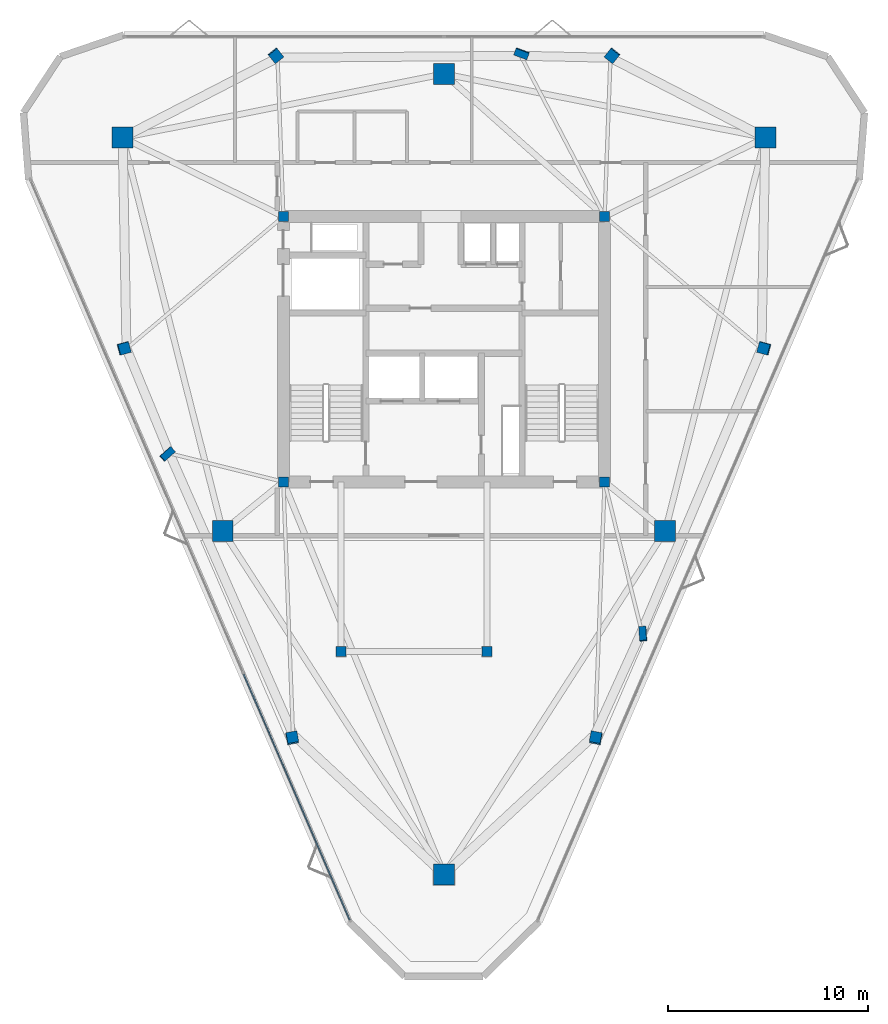
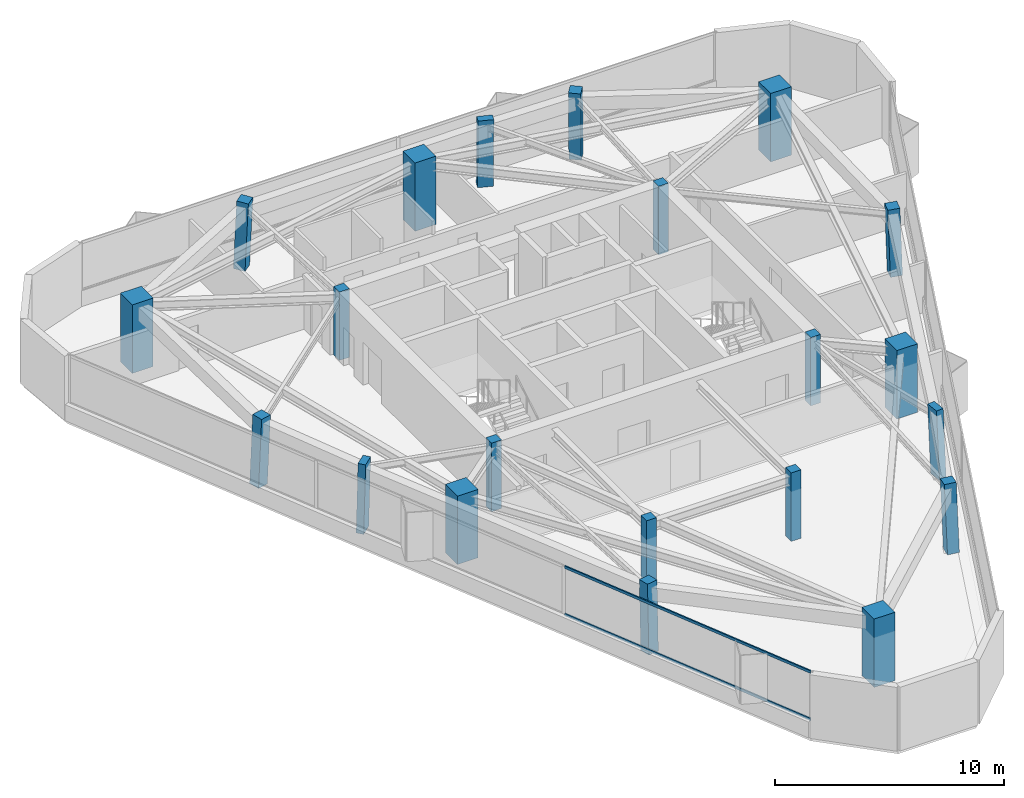
# One storey, part 1 of 9: 21 columns, 2 members, 1 element without a shape of its own.
"""IFC4 building model written with IfcOpenShell, lengths in metres."""

from ifc_helpers import new_model, si_unit, direction, frame, origin, origin_2d, place, context, subcontext, project, spatial, rectangle, extrude, material, layer, layer_set, material_profile, profile_set, type_object, element, aggregate, save


model = new_model("IFC4")

# Units and contexts
model_context = context("Model", 3, precision=1e-05, world=origin(), true_north=direction((0.0, 1.0)))
body_context = subcontext(model_context, "Body", "Model", "MODEL_VIEW")
ifc_project = project(units=[si_unit("LENGTHUNIT", "METRE"), si_unit("AREAUNIT", "SQUARE_METRE"), si_unit("VOLUMEUNIT", "CUBIC_METRE"), si_unit("PLANEANGLEUNIT", "RADIAN"), si_unit("MASSUNIT", "GRAM", prefix="KILO")], contexts=[model_context])

# Site, building, storey
site_placement = place(None, origin())
site = spatial("IfcSite", under=ifc_project, at=site_placement, CompositionType="ELEMENT")
building_placement = place(site_placement, origin())
building = spatial("IfcBuilding", under=site, at=building_placement, Name="Talyreon Biosciences Tower", CompositionType="ELEMENT")
storey_placement = place(building_placement, frame((0.0, 0.0, 291.10009765625)))
storey = spatial("IfcBuildingStorey", under=building, at=storey_placement, Name="L77", CompositionType="ELEMENT", Elevation=291.10009765625)

# Columns
ifc_material_1 = material(Name="Concrete C50/60", Category="concrete")
ifc_material_profile_1 = material_profile(ifc_material_1, rectangle(XDim=0.5, YDim=0.5, at=origin_2d()), Name="RC 500x500")
ifc_profile_set_1 = profile_set([ifc_material_profile_1], Name="Concrete C50/60")
column_type_1 = type_object("IfcColumnType", Name="CrownColumn_500", PredefinedType="COLUMN", material=ifc_profile_set_1)
for number, where, z_axis, x_axis, name in (
    (1, (57.949951171875, 61.35009765625, 0.0), (0.0, 0.0, 1.0), (1.0, 0.0, 0.0), "L77 Core Column CC1"),
    (2, (74.050048828125, 61.35009765625, 0.0), (0.0, 0.0, 1.0), (1.0, 0.0, 0.0), "L77 Core Column CC2"),
    (3, (74.050048828125, 74.64990234375, 0.0), (0.0, 0.0, 1.0), (1.0, 0.0, 0.0), "L77 Core Column CC3"),
    (4, (57.949951171875, 74.64990234375, 0.0), (0.0, 0.0, 1.0), (1.0, 0.0, 0.0), "L77 Core Column CC4"),
    (5, (60.85009765625, 52.840087890625, 0.0), (0.0, 0.0, 1.0), (1.0, 0.0, 0.0), "L77 Core Column CSW"),
    (6, (68.14990234375, 52.840087890625, 0.0), (0.0, 0.0, 1.0), (1.0, 0.0, 0.0), "L77 Core Column CSE"),
):
    element("IfcColumn", number, at=place(storey_placement, frame(where, z_axis=z_axis, x_axis=x_axis)), inside=storey, type_object=column_type_1, Name=name, PredefinedType="COLUMN", context=body_context, shape_type="SweptSolid", body=[
        extrude(rectangle(XDim=0.5, YDim=0.5, at=origin_2d()), origin(), (0.0, 0.0, 1.0), 3.64990234375),
    ])
ifc_material_2 = material(Name="Precast concrete C45/55", Category="concrete")
ifc_material_profile_2 = material_profile(ifc_material_2, rectangle(XDim=0.699951171875, YDim=0.35009765625, at=origin_2d()), Name="RC 700x350")
ifc_profile_set_2 = profile_set([ifc_material_profile_2], Name="Precast concrete C45/55")
column_type_2 = type_object("IfcColumnType", Name="FacadePilaster_700x350", PredefinedType="PILASTER", material=ifc_profile_set_2)
column_1_placement = place(storey_placement, frame((75.97802734375, 53.712890625, 0.0029296875), z_axis=(-0.019611903423, 0.038420588959, 0.999069182584), x_axis=(0.064077119423, -0.997158748375, 0.039604965668)))
element("IfcColumn", 7, at=column_1_placement, inside=storey, type_object=column_type_2, Name="L77 Facade Pilaster PL-SE", PredefinedType="PILASTER", context=body_context, shape_type="SweptSolid", body=[
    extrude(rectangle(XDim=0.699951171875, YDim=0.35009765625, at=origin_2d()), origin(), (0.0, 0.0, 1.0), 3.6474609375),
])
column_2_placement = place(storey_placement, frame((69.8955078125, 82.822509765625, 0.0029296875), z_axis=(-0.012453496874, -0.033544096418, 0.99935964698), x_axis=(-0.937477612418, 0.348045580658, 0.0)))
element("IfcColumn", 8, at=column_2_placement, inside=storey, type_object=column_type_2, Name="L77 Facade Pilaster PL-N", PredefinedType="PILASTER", context=body_context, shape_type="SweptSolid", body=[
    extrude(rectangle(XDim=0.699951171875, YDim=0.35009765625, at=origin_2d()), origin(), (0.0, 0.0, 1.0), 3.646484375),
])
column_3_placement = place(storey_placement, frame((52.126708984375, 62.73828125, 0.0029296875), z_axis=(0.032006454348, 0.010579539303, 0.999431668614), x_axis=(0.746873869942, 0.664245085376, -0.030949781142)))
element("IfcColumn", 9, at=column_3_placement, inside=storey, type_object=column_type_2, Name="L77 Facade Pilaster PL-SW", PredefinedType="PILASTER", context=body_context, shape_type="SweptSolid", body=[
    extrude(rectangle(XDim=0.699951171875, YDim=0.35009765625, at=origin_2d()), origin(), (0.0, 0.0, 1.0), 3.64599609375),
])
ifc_material_profile_3 = material_profile(ifc_material_1, rectangle(XDim=1.050048828125, YDim=1.050048828125, at=origin_2d()), Name="RC 1050x1050")
ifc_profile_set_3 = profile_set([ifc_material_profile_3], Name="Concrete C50/60")
column_type_3 = type_object("IfcColumnType", Name="MegaColumn_1050", PredefinedType="COLUMN", material=ifc_profile_set_3)
for number, where, z_axis, x_axis, name in (
    (10, (66.0, 41.6669921875, 0.0), (0.0, 0.0, 1.0), (1.0, 0.0, 0.0), "L77 Composite Mega-Column MC1"),
    (11, (82.102294921875, 78.5986328125, 0.0), (0.0, 0.0, 1.0), (1.0, 0.0, 0.0), "L77 Composite Mega-Column MC2"),
    (12, (49.897705078125, 78.5986328125, 0.0), (0.0, 0.0, 1.0), (1.0, 0.0, 0.0), "L77 Composite Mega-Column MC3"),
    (13, (77.086181640625, 58.88037109375, 0.0), (0.0, 0.0, 1.0), (1.0, 0.0, 0.0), "L77 Composite Mega-Column MC4"),
    (14, (66.0, 81.788818359375, 0.0), (0.0, 0.0, 1.0), (1.0, 0.0, 0.0), "L77 Composite Mega-Column MC5"),
    (15, (54.913818359375, 58.88037109375, 0.0), (0.0, 0.0, 1.0), (1.0, 0.0, 0.0), "L77 Composite Mega-Column MC6"),
):
    element("IfcColumn", number, at=place(storey_placement, frame(where, z_axis=z_axis, x_axis=x_axis)), inside=storey, type_object=column_type_3, Name=name, PredefinedType="COLUMN", context=body_context, shape_type="SweptSolid", body=[
        extrude(rectangle(XDim=1.050048828125, YDim=1.050048828125, at=origin_2d()), origin(), (0.0, 0.0, 1.0), 3.64990234375),
    ])
ifc_material_profile_4 = material_profile(ifc_material_1, rectangle(XDim=0.550048828125, YDim=0.550048828125, at=origin_2d()), Name="RC 550x550")
ifc_profile_set_4 = profile_set([ifc_material_profile_4], Name="Concrete C50/60")
column_type_4 = type_object("IfcColumnType", Name="PerimeterColumn_550", PredefinedType="COLUMN", material=ifc_profile_set_4)
column_4_placement = place(storey_placement, frame((73.61376953125, 48.488037109375, 0.0029296875), z_axis=(-0.012308213911, 0.054517360531, 0.99843696109), x_axis=(-0.184675707909, -0.981459007721, 0.051313731813)))
element("IfcColumn", 16, at=column_4_placement, inside=storey, type_object=column_type_4, Name="L77 Tapering Perimeter Column PC-SE1", PredefinedType="COLUMN", context=body_context, shape_type="SweptSolid", body=[
    extrude(rectangle(XDim=0.550048828125, YDim=0.550048828125, at=origin_2d()), origin(), (0.0, 0.0, 1.0), 3.649658203125),
])
column_5_placement = place(storey_placement, frame((82.053955078125, 68.04248046875, 0.0029296875), z_axis=(-0.039229508262, -0.005623342481, 0.999214403269), x_axis=(0.964355015274, -0.262098209739, 0.036385889678)))
element("IfcColumn", 17, at=column_5_placement, inside=storey, type_object=column_type_4, Name="L77 Tapering Perimeter Column PC-SE2", PredefinedType="COLUMN", context=body_context, shape_type="SweptSolid", body=[
    extrude(rectangle(XDim=0.550048828125, YDim=0.550048828125, at=origin_2d()), origin(), (0.0, 0.0, 1.0), 3.64697265625),
])
for number, where, z_axis, x_axis, name in (
    (18, (74.43994140625, 82.72265625, 0.0029296875), (-0.026841076243, -0.033534611465, 0.999077067328), (-0.780716755404, 0.624885067698, 0.0), "L77 Tapering Perimeter Column PC-N1"),
    (19, (57.56005859375, 82.72265625, 0.0029296875), (0.026841076243, -0.033534611465, 0.999077067328), (-0.780716755404, -0.624885067698, 0.0), "L77 Tapering Perimeter Column PC-N2"),
):
    element("IfcColumn", number, at=place(storey_placement, frame(where, z_axis=z_axis, x_axis=x_axis)), inside=storey, type_object=column_type_4, Name=name, PredefinedType="COLUMN", context=body_context, shape_type="SweptSolid", body=[
        extrude(rectangle(XDim=0.550048828125, YDim=0.550048828125, at=origin_2d()), origin(), (0.0, 0.0, 1.0), 3.6474609375),
    ])
column_6_placement = place(storey_placement, frame((49.946044921875, 68.04248046875, 0.0029296875), z_axis=(0.039229508262, -0.005623342481, 0.999214403269), x_axis=(0.964355015274, 0.262098209739, -0.036385889678)))
element("IfcColumn", 20, at=column_6_placement, inside=storey, type_object=column_type_4, Name="L77 Tapering Perimeter Column PC-SW1", PredefinedType="COLUMN", context=body_context, shape_type="SweptSolid", body=[
    extrude(rectangle(XDim=0.550048828125, YDim=0.550048828125, at=origin_2d()), origin(), (0.0, 0.0, 1.0), 3.64697265625),
])
column_7_placement = place(storey_placement, frame((58.38623046875, 48.488037109375, 0.0029296875), z_axis=(0.012308213911, 0.054517360531, 0.99843696109), x_axis=(-0.184675707909, 0.981459007721, -0.051313731813)))
element("IfcColumn", 21, at=column_7_placement, inside=storey, type_object=column_type_4, Name="L77 Tapering Perimeter Column PC-SW2", PredefinedType="COLUMN", context=body_context, shape_type="SweptSolid", body=[
    extrude(rectangle(XDim=0.550048828125, YDim=0.550048828125, at=origin_2d()), origin(), (0.0, 0.0, 1.0), 3.649658203125),
])

# Curtain wall, members
ifc_material_3 = material(Name="Thermally broken aluminium and low-E glazing", Category="aluminium")
ifc_layer = layer(ifc_material_3, 0.175048828125)
ifc_layer_set = layer_set([ifc_layer], Name="Thermally broken aluminium and low-E glazing")
curtain_wall_type = type_object("IfcCurtainWallType", Name="CurtainWall_Zone5CompLab", PredefinedType="NOTDEFINED", material=ifc_layer_set)
curtain_wall_placement = place(storey_placement, origin())
curtain_wall = element("IfcCurtainWall", 22, at=curtain_wall_placement, inside=storey, type_object=curtain_wall_type, Name="L77 Unitised Curtain Wall FCW-L77-00", PredefinedType="NOTDEFINED")
ifc_material_4 = material(Name="Anodised thermally broken aluminium", Category="aluminium")
ifc_material_profile_5 = material_profile(ifc_material_4, rectangle(XDim=0.06494140625, YDim=0.139892578125, at=origin_2d()), Name="ALUM TRANSOM 65x140")
ifc_profile_set_5 = profile_set([ifc_material_profile_5], Name="Anodised thermally broken aluminium")
member_type = type_object("IfcMemberType", Name="CWTransom_65x140", PredefinedType="USERDEFINED", material=ifc_profile_set_5)
member_1_placement = place(storey_placement, frame((61.273193359375, 39.39892578125, 0.84228515625), z_axis=(-0.39614983923, 0.918185877085, 0.0), x_axis=(-0.918185877085, -0.39614983923, 0.0)))
member_1 = element("IfcMember", 23, at=member_1_placement, type_object=member_type, Name="CW6 transom 1.1", ObjectType="TRANSOM", PredefinedType="USERDEFINED", context=body_context, shape_type="SweptSolid", body=[
    extrude(rectangle(XDim=0.06494140625, YDim=0.139892578125, at=origin_2d()), origin(), (0.0, 0.0, 1.0), 13.401123046875),
])
member_2_placement = place(storey_placement, frame((61.273193359375, 39.39892578125, 3.367431640625), z_axis=(-0.39614983923, 0.918185877085, 0.0), x_axis=(-0.918185877085, -0.39614983923, 0.0)))
member_2 = element("IfcMember", 24, at=member_2_placement, type_object=member_type, Name="CW6 transom 1.2", ObjectType="TRANSOM", PredefinedType="USERDEFINED", context=body_context, shape_type="SweptSolid", body=[
    extrude(rectangle(XDim=0.06494140625, YDim=0.139892578125, at=origin_2d()), origin(), (0.0, 0.0, 1.0), 13.401123046875),
])
aggregate(curtain_wall, [member_1, member_2])

save(model, "model.ifc")
